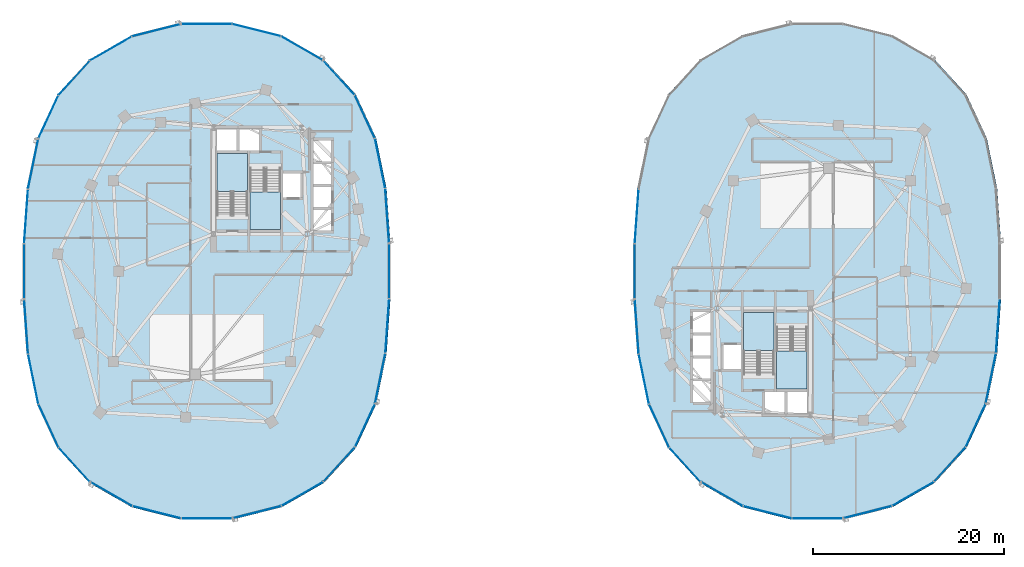
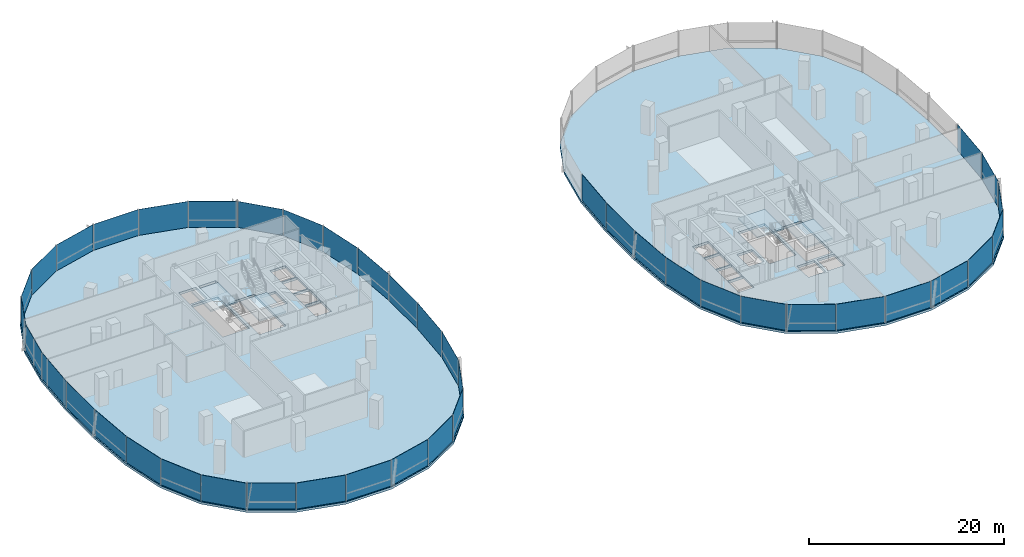
# One storey, part 9 of 21: 43 plates, 6 slabs, 11 elements without a shape of their own.
"""IFC4 building model written with IfcOpenShell, lengths in metres."""

import ifcopenshell
import ifcopenshell.guid

model = None  # the IFC model being written
_history = None  # IfcOwnerHistory: only IFC2X3 demands one
_inside = {}  # id of a spatial element -> (the spatial element, [elements in it])
_under = {}  # id of a project, library or spatial element -> (it, [spatial elements below it])
_declared = {}  # id of a project -> (the project, [libraries it declares])
_typed = {}  # id of a type object -> (the type object, [elements of that type])
_made_of = {}  # id of a material, layer set ... -> (it, [elements and type objects made of it])


def new_model(schema):
    """Start an empty IFC model of exactly this schema.

    Asked for "IFC4X3", IfcOpenShell would pick the latest addendum, in which some entities
    have other attributes; the version numbers below select the first issue.
    IFC2X3 requires an IfcOwnerHistory on every rooted entity: one is made here for all.
    """
    global model, _history
    if schema == "IFC4X3":
        model = ifcopenshell.file(schema_version=(4, 3, 0, 0))
    else:
        model = ifcopenshell.file(schema=schema)
    _inside.clear()
    _under.clear()
    _declared.clear()
    _typed.clear()
    _made_of.clear()
    _history = None
    if model.schema == "IFC2X3":
        org = make("IfcOrganization", Name="unknown")
        user = make(
            "IfcPersonAndOrganization",
            ThePerson=make("IfcPerson", FamilyName="unknown"),
            TheOrganization=org,
        )
        app = make(
            "IfcApplication",
            ApplicationDeveloper=org,
            Version="unknown",
            ApplicationFullName="unknown",
            ApplicationIdentifier="unknown",
        )
        _history = make(
            "IfcOwnerHistory",
            OwningUser=user,
            OwningApplication=app,
            ChangeAction="ADDED",
            CreationDate=0,
        )
    return model


def make(cls, **values):
    """One entity of the class cls with the attributes given. An attribute that is None is left unset."""
    return model.create_entity(
        cls, **{name: value for name, value in values.items() if value is not None}
    )


def rooted(cls, **values):
    """An entity with a GlobalId (a new one), such as an element, a storey or a relation."""
    return make(cls, GlobalId=ifcopenshell.guid.new(), OwnerHistory=_history, **values)


def si_unit(unit_type, name, prefix=None):
    """IfcSIUnit, for example si_unit("LENGTHUNIT", "METRE", prefix="MILLI")."""
    return make("IfcSIUnit", UnitType=unit_type, Prefix=prefix, Name=name)


def assignment(units):
    """IfcUnitAssignment: the units of a project."""
    return None if units is None else make("IfcUnitAssignment", Units=units)


def point(xyz):
    """IfcCartesianPoint."""
    return None if xyz is None else make("IfcCartesianPoint", Coordinates=xyz)


def direction(xyz):
    """IfcDirection."""
    return None if xyz is None else make("IfcDirection", DirectionRatios=xyz)


def frame(location, z_axis=None, x_axis=None):
    """IfcAxis2Placement3D, a coordinate frame: its origin and axes. An axis left out is left unset."""
    return make(
        "IfcAxis2Placement3D",
        Location=point(location),
        Axis=direction(z_axis),
        RefDirection=direction(x_axis),
    )


def frame_2d(location, x_axis=None):
    """IfcAxis2Placement2D, a coordinate frame in the plane: its origin and x axis."""
    return make(
        "IfcAxis2Placement2D", Location=point(location), RefDirection=direction(x_axis)
    )


def origin():
    """The frame at (0, 0, 0) with its axes left unset."""
    return frame((0.0, 0.0, 0.0))


def origin_2d():
    """The frame at (0, 0) in the plane with its x axis left unset."""
    return frame_2d((0.0, 0.0))


def place(relative_to, where):
    """IfcLocalPlacement: puts the frame where relative to a parent placement (None: the world)."""
    return make(
        "IfcLocalPlacement", PlacementRelTo=relative_to, RelativePlacement=where
    )


def context(
    kind, dimensions, precision=None, world=None, true_north=None, identifier=None
):
    """IfcGeometricRepresentationContext, for example the 3D "Model" context."""
    return make(
        "IfcGeometricRepresentationContext",
        ContextIdentifier=identifier,
        ContextType=kind,
        CoordinateSpaceDimension=dimensions,
        Precision=precision,
        WorldCoordinateSystem=world,
        TrueNorth=true_north,
    )


def subcontext(parent, identifier, kind, view, scale=None):
    """IfcGeometricRepresentationSubContext, for example "Body" below "Model"."""
    return make(
        "IfcGeometricRepresentationSubContext",
        ContextIdentifier=identifier,
        ContextType=kind,
        ParentContext=parent,
        TargetScale=scale,
        TargetView=view,
    )


def project(units=None, contexts=None):
    """IfcProject with its units and contexts."""
    return rooted(
        "IfcProject",
        Name="project",
        RepresentationContexts=contexts,
        UnitsInContext=assignment(units),
    )


def spatial(cls, under=None, at=None, **own):
    """A site, building, storey or space (cls), placed at a placement, below another one or the project."""
    s = rooted(cls, ObjectPlacement=at, **own)
    if under is not None:
        _under.setdefault(under.id(), (under, []))[1].append(s)
    return s


def polyline(points):
    """IfcPolyline through the points."""
    return make("IfcPolyline", Points=[point(p) for p in points])


def profile(cls, at=None, kind="AREA", **sizes):
    """A parametric profile (cls). Its sizes go by their IFC names, for example OverallWidth=200.0."""
    return make(cls, ProfileType=kind, Position=at, **sizes)


def rectangle(**sizes):
    """IfcRectangleProfileDef."""
    return profile("IfcRectangleProfileDef", **sizes)


def outline(outer, holes=None, kind="AREA"):
    """IfcArbitraryClosedProfileDef: a profile drawn as a closed curve; with holes, ...WithVoids."""
    if holes is None:
        return make("IfcArbitraryClosedProfileDef", ProfileType=kind, OuterCurve=outer)
    return make(
        "IfcArbitraryProfileDefWithVoids",
        ProfileType=kind,
        OuterCurve=outer,
        InnerCurves=holes,
    )


def extrude(swept, where, along, depth):
    """IfcExtrudedAreaSolid: the profile swept, set in the frame where, extruded along a direction by depth."""
    return make(
        "IfcExtrudedAreaSolid",
        SweptArea=swept,
        Position=where,
        ExtrudedDirection=direction(along),
        Depth=depth,
    )


def shape(context_of_items, identifier, shape_type, items):
    """IfcShapeRepresentation: the items that make up one representation, for example the "Body"."""
    return make(
        "IfcShapeRepresentation",
        ContextOfItems=context_of_items,
        RepresentationIdentifier=identifier,
        RepresentationType=shape_type,
        Items=items,
    )


def material(Name=None, Category=None):
    """IfcMaterial."""
    return make("IfcMaterial", Name=Name, Category=Category)


def layer(
    of_material, thickness, ventilated=None, Name=None, Category=None, Priority=None
):
    """IfcMaterialLayer: one layer of a wall or slab, of a material (None: an air gap)."""
    return make(
        "IfcMaterialLayer",
        Material=of_material,
        LayerThickness=thickness,
        IsVentilated=ventilated,
        Name=Name,
        Category=Category,
        Priority=Priority,
    )


def layer_set(layers, Name=None):
    """IfcMaterialLayerSet."""
    return make("IfcMaterialLayerSet", MaterialLayers=layers, LayerSetName=Name)


def made_of(thing, what):
    """Note that an element or type object is made of a material, layer set ...; save() writes the relation."""
    if what is not None:
        _made_of.setdefault(what.id(), (what, []))[1].append(thing)
    return thing


def type_object(cls, material=None, **own):
    """A type object (cls), such as IfcWallType, which elements share."""
    return made_of(rooted(cls, **own), material)


def element(
    cls,
    number,
    at=None,
    inside=None,
    cuts=None,
    type_object=None,
    material=None,
    context=None,
    identifier="Body",
    shape_type=None,
    held_by="IfcProductDefinitionShape",
    body=None,
    shapes=None,
    **own,
):
    """One element of the class cls, such as IfcWall. Its Tag is "e" and its number.

    at: its placement. inside: the storey or other place that contains it. cuts: it is an
    opening in that element (IfcRelVoidsElement). A single representation is given by context,
    identifier, shape_type and body (its items); several are given by shapes. held_by: the class
    of the entity that holds the representations. save() writes the other relations.
    """
    e = rooted(cls, Tag="e%d" % number, ObjectPlacement=at, **own)
    if body is not None:
        shapes = [shape(context, identifier, shape_type, body)]
    if shapes is not None:
        e.Representation = make(held_by, Representations=shapes)
    if inside is not None:
        _inside.setdefault(inside.id(), (inside, []))[1].append(e)
    if cuts is not None:
        rooted(
            "IfcRelVoidsElement", RelatingBuildingElement=cuts, RelatedOpeningElement=e
        )
    if type_object is not None:
        _typed.setdefault(type_object.id(), (type_object, []))[1].append(e)
    return made_of(e, material)


def aggregate(whole, parts):
    """IfcRelAggregates: a whole, such as a stair, and the parts it consists of."""
    return rooted("IfcRelAggregates", RelatingObject=whole, RelatedObjects=parts)


def save(model, path):
    """Write the relations noted so far, then the file.

    IfcRelAggregates (storeys below a building ...), IfcRelContainedInSpatialStructure (elements
    in a storey), IfcRelDefinesByType, IfcRelAssociatesMaterial and IfcRelDeclares: one each for
    every whole, place, type object, material and project.
    """
    for whole, parts in _under.values():
        aggregate(whole, parts)
    for where, things in _inside.values():
        rooted(
            "IfcRelContainedInSpatialStructure",
            RelatedElements=things,
            RelatingStructure=where,
        )
    for kind, things in _typed.values():
        rooted("IfcRelDefinesByType", RelatedObjects=things, RelatingType=kind)
    for what, things in _made_of.values():
        rooted("IfcRelAssociatesMaterial", RelatedObjects=things, RelatingMaterial=what)
    for by, libraries in _declared.values():
        rooted("IfcRelDeclares", RelatingContext=by, RelatedDefinitions=libraries)
    model.write(path)


model = new_model("IFC4")

# Units and contexts
model_context = context("Model", 3, precision=1e-05, world=origin(), true_north=direction((0.0, 1.0)))
body_context = subcontext(model_context, "Body", "Model", "MODEL_VIEW")
ifc_project = project(units=[si_unit("LENGTHUNIT", "METRE"), si_unit("AREAUNIT", "SQUARE_METRE"), si_unit("VOLUMEUNIT", "CUBIC_METRE"), si_unit("PLANEANGLEUNIT", "RADIAN"), si_unit("MASSUNIT", "GRAM", prefix="KILO"), si_unit("THERMODYNAMICTEMPERATUREUNIT", "KELVIN"), si_unit("POWERUNIT", "WATT")], contexts=[model_context])

# Site, building, storey
site_placement = place(None, origin())
site = spatial("IfcSite", under=ifc_project, at=site_placement, CompositionType="ELEMENT")
building_placement = place(site_placement, origin())
building = spatial("IfcBuilding", under=site, at=building_placement, Name="Cundina Bronze Exchange", CompositionType="ELEMENT")
storey_placement = place(building_placement, frame((0.0, 0.0, 81.800048828125)))
storey = spatial("IfcBuildingStorey", under=building, at=storey_placement, Name="L20", CompositionType="ELEMENT", Elevation=81.800048828125)

# Curtain wall, plates
ifc_material_1 = material(Name="Anodised Bronze Aluminium 6063-T6", Category="aluminium")
curtain_wall_type = type_object("IfcCurtainWallType", Name="CWS-TRD-MID", PredefinedType="NOTDEFINED", material=ifc_material_1)
curtain_wall_1_placement = place(storey_placement, origin())
curtain_wall_1 = element("IfcCurtainWall", 1, at=curtain_wall_1_placement, inside=storey, type_object=curtain_wall_type, Name="L20 CW-03 Curtain Wall Run CWR-L20-W1", PredefinedType="NOTDEFINED")
ifc_material_2 = material(Name="Heat-Strengthened Solar-Control Bronze Safety Glass 28mm", Category="glass")
ifc_layer_1 = layer(ifc_material_2, 0.028076171875, Name="Heat-Strengthened Solar-Control Bronze Safety Glass 28mm", Category="glass")
ifc_layer_set_1 = layer_set([ifc_layer_1], Name="Heat-Strengthened Solar-Control Bronze Safety Glass 28mm")
plate_type_1 = type_object("IfcPlateType", Name="PLT-GLZ-VIS28", PredefinedType="CURTAIN_PANEL", material=ifc_layer_set_1)
plate_1_placement = place(storey_placement, frame((-13.0732421875, 5.783935546875, 0.02001953125), z_axis=(0.0, 0.0, 1.0), x_axis=(-0.070278787473, 0.997527389113, 0.0)))
plate_1 = element("IfcPlate", 2, at=plate_1_placement, type_object=plate_type_1, Name="CW-03 Glazed Panel 1", PredefinedType="CURTAIN_PANEL", context=body_context, shape_type="SweptSolid", body=[
    extrude(rectangle(XDim=5.644287109375, YDim=0.028076171875, at=origin_2d()), origin(), (0.0, 0.0, 1.0), 3.260009765625),
])
plate_2_placement = place(storey_placement, frame((-13.81591796875, 11.269775390625, 0.02001953125), z_axis=(0.0, 0.0, 1.0), x_axis=(-0.201419845156, 0.979505000486, 0.0)))
plate_2 = element("IfcPlate", 3, at=plate_2_placement, type_object=plate_type_1, Name="CW-03 Glazed Panel 2", PredefinedType="CURTAIN_PANEL", context=body_context, shape_type="SweptSolid", body=[
    extrude(rectangle(XDim=5.306640625, YDim=0.028076171875, at=origin_2d()), origin(), (0.0, 0.0, 1.0), 3.260009765625),
])
plate_3_placement = place(storey_placement, frame((-15.413818359375, 16.177734375, 0.02001953125), z_axis=(0.0, 0.0, 1.0), x_axis=(-0.42084583328, 0.907132175932, 0.0)))
plate_3 = element("IfcPlate", 4, at=plate_3_placement, type_object=plate_type_1, Name="CW-03 Glazed Panel 3", PredefinedType="CURTAIN_PANEL", context=body_context, shape_type="SweptSolid", body=[
    extrude(rectangle(XDim=4.966552734375, YDim=0.028076171875, at=origin_2d()), origin(), (0.0, 0.0, 1.0), 3.260009765625),
])
plate_4_placement = place(storey_placement, frame((-18.1259765625, 20.267333984375, 0.02001953125), z_axis=(0.0, 0.0, 1.0), x_axis=(-0.674276610219, 0.73847887777, 0.0)))
plate_4 = element("IfcPlate", 5, at=plate_4_placement, type_object=plate_type_1, Name="CW-03 Glazed Panel 4", PredefinedType="CURTAIN_PANEL", context=body_context, shape_type="SweptSolid", body=[
    extrude(rectangle(XDim=4.86328125, YDim=0.028076171875, at=origin_2d()), origin(), (0.0, 0.0, 1.0), 3.260009765625),
])
plate_5_placement = place(storey_placement, frame((-26.744384765625, 25.256591796875, 0.02001953125), z_axis=(0.0, 0.0, 1.0), x_axis=(-0.969488149345, 0.245138182011, 0.0)))
plate_5 = element("IfcPlate", 6, at=plate_5_placement, type_object=plate_type_1, Name="CW-03 Glazed Panel 6", PredefinedType="CURTAIN_PANEL", context=body_context, shape_type="SweptSolid", body=[
    extrude(rectangle(XDim=5.2333984375, YDim=0.028076171875, at=origin_2d()), origin(), (0.0, 0.0, 1.0), 3.260009765625),
])
plate_6_placement = place(storey_placement, frame((-32.0, 25.905029296875, 0.02001953125), z_axis=(0.0, 0.0, 1.0), x_axis=(-1.0, 0.0, 0.0)))
plate_6 = element("IfcPlate", 7, at=plate_6_placement, type_object=plate_type_1, Name="CW-03 Glazed Panel 7", PredefinedType="CURTAIN_PANEL", context=body_context, shape_type="SweptSolid", body=[
    extrude(rectangle(XDim=5.323974609375, YDim=0.028076171875, at=origin_2d()), origin(), (0.0, 0.0, 1.0), 3.260009765625),
])

curtain_wall_2_placement = place(storey_placement, origin())
curtain_wall_2 = element("IfcCurtainWall", 8, at=curtain_wall_2_placement, inside=storey, type_object=curtain_wall_type, Name="L20 CW-03 Curtain Wall Run CWR-L20-W2", PredefinedType="NOTDEFINED")
plate_7_placement = place(storey_placement, frame((-37.255615234375, 25.256591796875, 0.02001953125), z_axis=(0.0, 0.0, 1.0), x_axis=(-0.969488149345, -0.245138182011, 0.0)))
plate_7 = element("IfcPlate", 9, at=plate_7_placement, type_object=plate_type_1, Name="CW-03 Glazed Panel 1", PredefinedType="CURTAIN_PANEL", context=body_context, shape_type="SweptSolid", body=[
    extrude(rectangle(XDim=5.2333984375, YDim=0.028076171875, at=origin_2d()), origin(), (0.0, 0.0, 1.0), 3.260009765625),
])
plate_8_placement = place(storey_placement, frame((-42.019287109375, 23.34423828125, 0.02001953125), z_axis=(0.0, 0.0, 1.0), x_axis=(-0.867105478933, -0.498124571171, 0.0)))
plate_8 = element("IfcPlate", 10, at=plate_8_placement, type_object=plate_type_1, Name="CW-03 Glazed Panel 2", PredefinedType="CURTAIN_PANEL", context=body_context, shape_type="SweptSolid", body=[
    extrude(rectangle(XDim=5.021240234375, YDim=0.028076171875, at=origin_2d()), origin(), (0.0, 0.0, 1.0), 3.260009765625),
])
plate_9_placement = place(storey_placement, frame((-45.8740234375, 20.267333984375, 0.02001953125), z_axis=(0.0, 0.0, 1.0), x_axis=(-0.674276610219, -0.73847887777, 0.0)))
plate_9 = element("IfcPlate", 11, at=plate_9_placement, type_object=plate_type_1, Name="CW-03 Glazed Panel 3", PredefinedType="CURTAIN_PANEL", context=body_context, shape_type="SweptSolid", body=[
    extrude(rectangle(XDim=4.86328125, YDim=0.028076171875, at=origin_2d()), origin(), (0.0, 0.0, 1.0), 3.260009765625),
])
plate_10_placement = place(storey_placement, frame((-50.18408203125, 11.269775390625, 0.02001953125), z_axis=(0.0, 0.0, 1.0), x_axis=(-0.201419845156, -0.979505000486, 0.0)))
plate_10 = element("IfcPlate", 12, at=plate_10_placement, type_object=plate_type_1, Name="CW-03 Glazed Panel 5", PredefinedType="CURTAIN_PANEL", context=body_context, shape_type="SweptSolid", body=[
    extrude(rectangle(XDim=5.306640625, YDim=0.028076171875, at=origin_2d()), origin(), (0.0, 0.0, 1.0), 3.260009765625),
])
plate_11_placement = place(storey_placement, frame((-50.9267578125, 5.783935546875, 0.02001953125), z_axis=(0.0, 0.0, 1.0), x_axis=(-0.070278787473, -0.997527389113, 0.0)))
plate_11 = element("IfcPlate", 13, at=plate_11_placement, type_object=plate_type_1, Name="CW-03 Glazed Panel 6", PredefinedType="CURTAIN_PANEL", context=body_context, shape_type="SweptSolid", body=[
    extrude(rectangle(XDim=5.644287109375, YDim=0.028076171875, at=origin_2d()), origin(), (0.0, 0.0, 1.0), 3.260009765625),
])
plate_12_placement = place(storey_placement, frame((-51.1279296875, 0.0, 0.02001953125), z_axis=(0.0, 0.0, 1.0), x_axis=(0.0, -1.0, 0.0)))
plate_12 = element("IfcPlate", 14, at=plate_12_placement, type_object=plate_type_1, Name="CW-03 Glazed Panel 7", PredefinedType="CURTAIN_PANEL", context=body_context, shape_type="SweptSolid", body=[
    extrude(rectangle(XDim=5.77587890625, YDim=0.028076171875, at=origin_2d()), origin(), (0.0, 0.0, 1.0), 3.260009765625),
])

curtain_wall_3_placement = place(storey_placement, origin())
curtain_wall_3 = element("IfcCurtainWall", 15, at=curtain_wall_3_placement, inside=storey, type_object=curtain_wall_type, Name="L20 CW-03 Curtain Wall Run CWR-L20-W3", PredefinedType="NOTDEFINED")
plate_13_placement = place(storey_placement, frame((-50.9267578125, -5.783935546875, 0.02001953125), z_axis=(0.0, 0.0, 1.0), x_axis=(0.070278787473, -0.997527389113, 0.0)))
plate_13 = element("IfcPlate", 16, at=plate_13_placement, type_object=plate_type_1, Name="CW-03 Glazed Panel 1", PredefinedType="CURTAIN_PANEL", context=body_context, shape_type="SweptSolid", body=[
    extrude(rectangle(XDim=5.644287109375, YDim=0.028076171875, at=origin_2d()), origin(), (0.0, 0.0, 1.0), 3.260009765625),
])
plate_14_placement = place(storey_placement, frame((-50.18408203125, -11.269775390625, 0.02001953125), z_axis=(0.0, 0.0, 1.0), x_axis=(0.201419845156, -0.979505000486, 0.0)))
plate_14 = element("IfcPlate", 17, at=plate_14_placement, type_object=plate_type_1, Name="CW-03 Glazed Panel 2", PredefinedType="CURTAIN_PANEL", context=body_context, shape_type="SweptSolid", body=[
    extrude(rectangle(XDim=5.306640625, YDim=0.028076171875, at=origin_2d()), origin(), (0.0, 0.0, 1.0), 3.260009765625),
])
plate_15_placement = place(storey_placement, frame((-45.8740234375, -20.267333984375, 0.02001953125), z_axis=(0.0, 0.0, 1.0), x_axis=(0.674276610219, -0.73847887777, 0.0)))
plate_15 = element("IfcPlate", 18, at=plate_15_placement, type_object=plate_type_1, Name="CW-03 Glazed Panel 4", PredefinedType="CURTAIN_PANEL", context=body_context, shape_type="SweptSolid", body=[
    extrude(rectangle(XDim=4.86328125, YDim=0.028076171875, at=origin_2d()), origin(), (0.0, 0.0, 1.0), 3.260009765625),
])
plate_16_placement = place(storey_placement, frame((-42.019287109375, -23.34423828125, 0.02001953125), z_axis=(0.0, 0.0, 1.0), x_axis=(0.867105478933, -0.498124571171, 0.0)))
plate_16 = element("IfcPlate", 19, at=plate_16_placement, type_object=plate_type_1, Name="CW-03 Glazed Panel 5", PredefinedType="CURTAIN_PANEL", context=body_context, shape_type="SweptSolid", body=[
    extrude(rectangle(XDim=5.021240234375, YDim=0.028076171875, at=origin_2d()), origin(), (0.0, 0.0, 1.0), 3.260009765625),
])
plate_17_placement = place(storey_placement, frame((-37.255615234375, -25.256591796875, 0.02001953125), z_axis=(0.0, 0.0, 1.0), x_axis=(0.969488149345, -0.245138182011, 0.0)))
plate_17 = element("IfcPlate", 20, at=plate_17_placement, type_object=plate_type_1, Name="CW-03 Glazed Panel 6", PredefinedType="CURTAIN_PANEL", context=body_context, shape_type="SweptSolid", body=[
    extrude(rectangle(XDim=5.2333984375, YDim=0.028076171875, at=origin_2d()), origin(), (0.0, 0.0, 1.0), 3.260009765625),
])
plate_18_placement = place(storey_placement, frame((-32.0, -25.905029296875, 0.02001953125), z_axis=(0.0, 0.0, 1.0), x_axis=(1.0, 0.0, 0.0)))
plate_18 = element("IfcPlate", 21, at=plate_18_placement, type_object=plate_type_1, Name="CW-03 Glazed Panel 7", PredefinedType="CURTAIN_PANEL", context=body_context, shape_type="SweptSolid", body=[
    extrude(rectangle(XDim=5.323974609375, YDim=0.028076171875, at=origin_2d()), origin(), (0.0, 0.0, 1.0), 3.260009765625),
])

curtain_wall_4_placement = place(storey_placement, origin())
curtain_wall_4 = element("IfcCurtainWall", 22, at=curtain_wall_4_placement, inside=storey, type_object=curtain_wall_type, Name="L20 CW-03 Curtain Wall Run CWR-L20-W4", PredefinedType="NOTDEFINED")
plate_19_placement = place(storey_placement, frame((-26.744384765625, -25.256591796875, 0.02001953125), z_axis=(0.0, 0.0, 1.0), x_axis=(0.969488149345, 0.245138182011, 0.0)))
plate_19 = element("IfcPlate", 23, at=plate_19_placement, type_object=plate_type_1, Name="CW-03 Glazed Panel 1", PredefinedType="CURTAIN_PANEL", context=body_context, shape_type="SweptSolid", body=[
    extrude(rectangle(XDim=5.2333984375, YDim=0.028076171875, at=origin_2d()), origin(), (0.0, 0.0, 1.0), 3.260009765625),
])
plate_20_placement = place(storey_placement, frame((-18.1259765625, -20.267333984375, 0.02001953125), z_axis=(0.0, 0.0, 1.0), x_axis=(0.674276610219, 0.73847887777, 0.0)))
plate_20 = element("IfcPlate", 24, at=plate_20_placement, type_object=plate_type_1, Name="CW-03 Glazed Panel 3", PredefinedType="CURTAIN_PANEL", context=body_context, shape_type="SweptSolid", body=[
    extrude(rectangle(XDim=4.86328125, YDim=0.028076171875, at=origin_2d()), origin(), (0.0, 0.0, 1.0), 3.260009765625),
])
plate_21_placement = place(storey_placement, frame((-15.413818359375, -16.177734375, 0.02001953125), z_axis=(0.0, 0.0, 1.0), x_axis=(0.42084583328, 0.907132175932, 0.0)))
plate_21 = element("IfcPlate", 25, at=plate_21_placement, type_object=plate_type_1, Name="CW-03 Glazed Panel 4", PredefinedType="CURTAIN_PANEL", context=body_context, shape_type="SweptSolid", body=[
    extrude(rectangle(XDim=4.966552734375, YDim=0.028076171875, at=origin_2d()), origin(), (0.0, 0.0, 1.0), 3.260009765625),
])
plate_22_placement = place(storey_placement, frame((-13.81591796875, -11.269775390625, 0.02001953125), z_axis=(0.0, 0.0, 1.0), x_axis=(0.201419845156, 0.979505000486, 0.0)))
plate_22 = element("IfcPlate", 26, at=plate_22_placement, type_object=plate_type_1, Name="CW-03 Glazed Panel 5", PredefinedType="CURTAIN_PANEL", context=body_context, shape_type="SweptSolid", body=[
    extrude(rectangle(XDim=5.306640625, YDim=0.028076171875, at=origin_2d()), origin(), (0.0, 0.0, 1.0), 3.260009765625),
])
plate_23_placement = place(storey_placement, frame((-13.0732421875, -5.783935546875, 0.02001953125), z_axis=(0.0, 0.0, 1.0), x_axis=(0.070278787473, 0.997527389113, 0.0)))
plate_23 = element("IfcPlate", 27, at=plate_23_placement, type_object=plate_type_1, Name="CW-03 Glazed Panel 6", PredefinedType="CURTAIN_PANEL", context=body_context, shape_type="SweptSolid", body=[
    extrude(rectangle(XDim=5.644287109375, YDim=0.028076171875, at=origin_2d()), origin(), (0.0, 0.0, 1.0), 3.260009765625),
])

curtain_wall_5_placement = place(storey_placement, origin())
curtain_wall_5 = element("IfcCurtainWall", 28, at=curtain_wall_5_placement, inside=storey, type_object=curtain_wall_type, Name="L20 CW-03 Curtain Wall Run CWR-L20-E2", PredefinedType="NOTDEFINED")
plate_24_placement = place(storey_placement, frame((13.0732421875, 5.783935546875, 0.02001953125), z_axis=(0.0, 0.0, 1.0), x_axis=(-0.070278787473, -0.997527389113, 0.0)))
plate_24 = element("IfcPlate", 29, at=plate_24_placement, type_object=plate_type_1, Name="CW-03 Glazed Panel 6", PredefinedType="CURTAIN_PANEL", context=body_context, shape_type="SweptSolid", body=[
    extrude(rectangle(XDim=5.644287109375, YDim=0.028076171875, at=origin_2d()), origin(), (0.0, 0.0, 1.0), 3.260009765625),
])
plate_25_placement = place(storey_placement, frame((12.8720703125, 0.0, 0.02001953125), z_axis=(0.0, 0.0, 1.0), x_axis=(0.0, -1.0, 0.0)))
plate_25 = element("IfcPlate", 30, at=plate_25_placement, type_object=plate_type_1, Name="CW-03 Glazed Panel 7", PredefinedType="CURTAIN_PANEL", context=body_context, shape_type="SweptSolid", body=[
    extrude(rectangle(XDim=5.77587890625, YDim=0.028076171875, at=origin_2d()), origin(), (0.0, 0.0, 1.0), 3.260009765625),
])
aggregate(curtain_wall_5, [plate_24, plate_25])

curtain_wall_6_placement = place(storey_placement, origin())
curtain_wall_6 = element("IfcCurtainWall", 31, at=curtain_wall_6_placement, inside=storey, type_object=curtain_wall_type, Name="L20 CW-03 Curtain Wall Run CWR-L20-E3", PredefinedType="NOTDEFINED")
plate_26_placement = place(storey_placement, frame((13.0732421875, -5.783935546875, 0.02001953125), z_axis=(0.0, 0.0, 1.0), x_axis=(0.070278787473, -0.997527389113, 0.0)))
plate_26 = element("IfcPlate", 32, at=plate_26_placement, type_object=plate_type_1, Name="CW-03 Glazed Panel 1", PredefinedType="CURTAIN_PANEL", context=body_context, shape_type="SweptSolid", body=[
    extrude(rectangle(XDim=5.644287109375, YDim=0.028076171875, at=origin_2d()), origin(), (0.0, 0.0, 1.0), 3.260009765625),
])
plate_27_placement = place(storey_placement, frame((13.81591796875, -11.269775390625, 0.02001953125), z_axis=(0.0, 0.0, 1.0), x_axis=(0.201419845156, -0.979505000486, 0.0)))
plate_27 = element("IfcPlate", 33, at=plate_27_placement, type_object=plate_type_1, Name="CW-03 Glazed Panel 2", PredefinedType="CURTAIN_PANEL", context=body_context, shape_type="SweptSolid", body=[
    extrude(rectangle(XDim=5.306640625, YDim=0.028076171875, at=origin_2d()), origin(), (0.0, 0.0, 1.0), 3.260009765625),
])
plate_28_placement = place(storey_placement, frame((18.1259765625, -20.267333984375, 0.02001953125), z_axis=(0.0, 0.0, 1.0), x_axis=(0.674276610219, -0.73847887777, 0.0)))
plate_28 = element("IfcPlate", 34, at=plate_28_placement, type_object=plate_type_1, Name="CW-03 Glazed Panel 4", PredefinedType="CURTAIN_PANEL", context=body_context, shape_type="SweptSolid", body=[
    extrude(rectangle(XDim=4.86328125, YDim=0.028076171875, at=origin_2d()), origin(), (0.0, 0.0, 1.0), 3.260009765625),
])
plate_29_placement = place(storey_placement, frame((21.980712890625, -23.34423828125, 0.02001953125), z_axis=(0.0, 0.0, 1.0), x_axis=(0.867105478933, -0.498124571171, 0.0)))
plate_29 = element("IfcPlate", 35, at=plate_29_placement, type_object=plate_type_1, Name="CW-03 Glazed Panel 5", PredefinedType="CURTAIN_PANEL", context=body_context, shape_type="SweptSolid", body=[
    extrude(rectangle(XDim=5.021240234375, YDim=0.028076171875, at=origin_2d()), origin(), (0.0, 0.0, 1.0), 3.260009765625),
])
plate_30_placement = place(storey_placement, frame((26.744384765625, -25.256591796875, 0.02001953125), z_axis=(0.0, 0.0, 1.0), x_axis=(0.969488149345, -0.245138182011, 0.0)))
plate_30 = element("IfcPlate", 36, at=plate_30_placement, type_object=plate_type_1, Name="CW-03 Glazed Panel 6", PredefinedType="CURTAIN_PANEL", context=body_context, shape_type="SweptSolid", body=[
    extrude(rectangle(XDim=5.2333984375, YDim=0.028076171875, at=origin_2d()), origin(), (0.0, 0.0, 1.0), 3.260009765625),
])
plate_31_placement = place(storey_placement, frame((32.0, -25.905029296875, 0.02001953125), z_axis=(0.0, 0.0, 1.0), x_axis=(1.0, 0.0, 0.0)))
plate_31 = element("IfcPlate", 37, at=plate_31_placement, type_object=plate_type_1, Name="CW-03 Glazed Panel 7", PredefinedType="CURTAIN_PANEL", context=body_context, shape_type="SweptSolid", body=[
    extrude(rectangle(XDim=5.323974609375, YDim=0.028076171875, at=origin_2d()), origin(), (0.0, 0.0, 1.0), 3.260009765625),
])

curtain_wall_7_placement = place(storey_placement, origin())
curtain_wall_7 = element("IfcCurtainWall", 38, at=curtain_wall_7_placement, inside=storey, type_object=curtain_wall_type, Name="L20 CW-03 Curtain Wall Run CWR-L20-E4", PredefinedType="NOTDEFINED")
plate_32_placement = place(storey_placement, frame((37.255615234375, -25.256591796875, 0.02001953125), z_axis=(0.0, 0.0, 1.0), x_axis=(0.969488149345, 0.245138182011, 0.0)))
plate_32 = element("IfcPlate", 39, at=plate_32_placement, type_object=plate_type_1, Name="CW-03 Glazed Panel 1", PredefinedType="CURTAIN_PANEL", context=body_context, shape_type="SweptSolid", body=[
    extrude(rectangle(XDim=5.2333984375, YDim=0.028076171875, at=origin_2d()), origin(), (0.0, 0.0, 1.0), 3.260009765625),
])
plate_33_placement = place(storey_placement, frame((45.8740234375, -20.267333984375, 0.02001953125), z_axis=(0.0, 0.0, 1.0), x_axis=(0.674276610219, 0.73847887777, 0.0)))
plate_33 = element("IfcPlate", 40, at=plate_33_placement, type_object=plate_type_1, Name="CW-03 Glazed Panel 3", PredefinedType="CURTAIN_PANEL", context=body_context, shape_type="SweptSolid", body=[
    extrude(rectangle(XDim=4.86328125, YDim=0.028076171875, at=origin_2d()), origin(), (0.0, 0.0, 1.0), 3.260009765625),
])
plate_34_placement = place(storey_placement, frame((48.586181640625, -16.177734375, 0.02001953125), z_axis=(0.0, 0.0, 1.0), x_axis=(0.42084583328, 0.907132175932, 0.0)))
plate_34 = element("IfcPlate", 41, at=plate_34_placement, type_object=plate_type_1, Name="CW-03 Glazed Panel 4", PredefinedType="CURTAIN_PANEL", context=body_context, shape_type="SweptSolid", body=[
    extrude(rectangle(XDim=4.966552734375, YDim=0.028076171875, at=origin_2d()), origin(), (0.0, 0.0, 1.0), 3.260009765625),
])
plate_35_placement = place(storey_placement, frame((50.18408203125, -11.269775390625, 0.02001953125), z_axis=(0.0, 0.0, 1.0), x_axis=(0.201419845156, 0.979505000486, 0.0)))
plate_35 = element("IfcPlate", 42, at=plate_35_placement, type_object=plate_type_1, Name="CW-03 Glazed Panel 5", PredefinedType="CURTAIN_PANEL", context=body_context, shape_type="SweptSolid", body=[
    extrude(rectangle(XDim=5.306640625, YDim=0.028076171875, at=origin_2d()), origin(), (0.0, 0.0, 1.0), 3.260009765625),
])
plate_36_placement = place(storey_placement, frame((50.9267578125, -5.783935546875, 0.02001953125), z_axis=(0.0, 0.0, 1.0), x_axis=(0.070278787473, 0.997527389113, 0.0)))
plate_36 = element("IfcPlate", 43, at=plate_36_placement, type_object=plate_type_1, Name="CW-03 Glazed Panel 6", PredefinedType="CURTAIN_PANEL", context=body_context, shape_type="SweptSolid", body=[
    extrude(rectangle(XDim=5.644287109375, YDim=0.028076171875, at=origin_2d()), origin(), (0.0, 0.0, 1.0), 3.260009765625),
])

# Plate
ifc_material_3 = material(Name="Dark Bronze Spandrel Glass Panel 32mm", Category="glass")
ifc_layer_2 = layer(ifc_material_3, 0.031982421875, Name="Dark Bronze Spandrel Glass Panel 32mm", Category="glass")
ifc_layer_set_2 = layer_set([ifc_layer_2], Name="Dark Bronze Spandrel Glass Panel 32mm")
plate_type_2 = type_object("IfcPlateType", Name="PLT-SPN-BRZ32", PredefinedType="CURTAIN_PANEL", material=ifc_layer_set_2)
plate_37_placement = place(storey_placement, frame((-21.980712890625, 23.34423828125, 0.02001953125), z_axis=(0.0, 0.0, 1.0), x_axis=(-0.867105478933, 0.498124571171, 0.0)))
plate_37 = element("IfcPlate", 44, at=plate_37_placement, type_object=plate_type_2, Name="CW-03 Glazed Panel 5", PredefinedType="CURTAIN_PANEL", context=body_context, shape_type="SweptSolid", body=[
    extrude(rectangle(XDim=5.021240234375, YDim=0.031982421875, at=origin_2d()), origin(), (0.0, 0.0, 1.0), 3.260009765625),
])

aggregate(curtain_wall_1, [plate_1, plate_2, plate_3, plate_4, plate_37, plate_5, plate_6])

plate_38_placement = place(storey_placement, frame((-48.586181640625, 16.177734375, 0.02001953125), z_axis=(0.0, 0.0, 1.0), x_axis=(-0.42084583328, -0.907132175932, 0.0)))
plate_38 = element("IfcPlate", 45, at=plate_38_placement, type_object=plate_type_2, Name="CW-03 Glazed Panel 4", PredefinedType="CURTAIN_PANEL", context=body_context, shape_type="SweptSolid", body=[
    extrude(rectangle(XDim=4.966552734375, YDim=0.031982421875, at=origin_2d()), origin(), (0.0, 0.0, 1.0), 3.260009765625),
])

aggregate(curtain_wall_2, [plate_7, plate_8, plate_9, plate_38, plate_10, plate_11, plate_12])

plate_39_placement = place(storey_placement, frame((-48.586181640625, -16.177734375, 0.02001953125), z_axis=(0.0, 0.0, 1.0), x_axis=(0.42084583328, -0.907132175932, 0.0)))
plate_39 = element("IfcPlate", 46, at=plate_39_placement, type_object=plate_type_2, Name="CW-03 Glazed Panel 3", PredefinedType="CURTAIN_PANEL", context=body_context, shape_type="SweptSolid", body=[
    extrude(rectangle(XDim=4.966552734375, YDim=0.031982421875, at=origin_2d()), origin(), (0.0, 0.0, 1.0), 3.260009765625),
])

aggregate(curtain_wall_3, [plate_13, plate_14, plate_39, plate_15, plate_16, plate_17, plate_18])

plate_40_placement = place(storey_placement, frame((-21.980712890625, -23.34423828125, 0.02001953125), z_axis=(0.0, 0.0, 1.0), x_axis=(0.867105478933, 0.498124571171, 0.0)))
plate_40 = element("IfcPlate", 47, at=plate_40_placement, type_object=plate_type_2, Name="CW-03 Glazed Panel 2", PredefinedType="CURTAIN_PANEL", context=body_context, shape_type="SweptSolid", body=[
    extrude(rectangle(XDim=5.021240234375, YDim=0.031982421875, at=origin_2d()), origin(), (0.0, 0.0, 1.0), 3.260009765625),
])

plate_41_placement = place(storey_placement, frame((-12.8720703125, 0.0, 0.02001953125), z_axis=(0.0, 0.0, 1.0), x_axis=(0.0, 1.0, 0.0)))
plate_41 = element("IfcPlate", 48, at=plate_41_placement, type_object=plate_type_2, Name="CW-03 Glazed Panel 7", PredefinedType="CURTAIN_PANEL", context=body_context, shape_type="SweptSolid", body=[
    extrude(rectangle(XDim=5.77587890625, YDim=0.031982421875, at=origin_2d()), origin(), (0.0, 0.0, 1.0), 3.260009765625),
])

aggregate(curtain_wall_4, [plate_19, plate_40, plate_20, plate_21, plate_22, plate_23, plate_41])

plate_42_placement = place(storey_placement, frame((15.413818359375, -16.177734375, 0.02001953125), z_axis=(0.0, 0.0, 1.0), x_axis=(0.42084583328, -0.907132175932, 0.0)))
plate_42 = element("IfcPlate", 49, at=plate_42_placement, type_object=plate_type_2, Name="CW-03 Glazed Panel 3", PredefinedType="CURTAIN_PANEL", context=body_context, shape_type="SweptSolid", body=[
    extrude(rectangle(XDim=4.966552734375, YDim=0.031982421875, at=origin_2d()), origin(), (0.0, 0.0, 1.0), 3.260009765625),
])

aggregate(curtain_wall_6, [plate_26, plate_27, plate_42, plate_28, plate_29, plate_30, plate_31])

plate_43_placement = place(storey_placement, frame((42.019287109375, -23.34423828125, 0.02001953125), z_axis=(0.0, 0.0, 1.0), x_axis=(0.867105478933, 0.498124571171, 0.0)))
plate_43 = element("IfcPlate", 50, at=plate_43_placement, type_object=plate_type_2, Name="CW-03 Glazed Panel 2", PredefinedType="CURTAIN_PANEL", context=body_context, shape_type="SweptSolid", body=[
    extrude(rectangle(XDim=5.021240234375, YDim=0.031982421875, at=origin_2d()), origin(), (0.0, 0.0, 1.0), 3.260009765625),
])

aggregate(curtain_wall_7, [plate_32, plate_43, plate_33, plate_34, plate_35, plate_36])

# Stair, slab
ifc_material_4 = material(Name="Concrete C40/50", Category="concrete")
stair_type = type_object("IfcStairType", Name="STR-OFF-360", PredefinedType="HALF_TURN_STAIR", material=ifc_material_4)
stair_1_placement = place(storey_placement, origin())
stair_1 = element("IfcStair", 51, at=stair_1_placement, inside=storey, type_object=stair_type, Name="L20 Smokeproof Exit Stair W1", PredefinedType="HALF_TURN_STAIR")
ifc_layer_3 = layer(ifc_material_4, 0.199951171875, Name="Concrete C40/50", Category="concrete")
ifc_layer_set_3 = layer_set([ifc_layer_3], Name="Concrete C40/50")
slab_type_1 = type_object("IfcSlabType", Name="SLB-LND-200", PredefinedType="LANDING", material=ifc_layer_set_3)
slab_1_placement = place(storey_placement, frame((0.0, 0.0, 1.599853515625)))
slab_1 = element("IfcSlab", 52, at=slab_1_placement, type_object=slab_type_1, Name="ST-W1 landing 1", PredefinedType="LANDING", context=body_context, shape_type="SweptSolid", body=[
    extrude(outline(polyline([(-27.739990234375, 8.3701171875), (-27.739990234375, 12.35009765625), (-30.89990234375, 12.35009765625), (-30.89990234375, 8.3701171875), (-27.739990234375, 8.3701171875)])), origin(), (0.0, 0.0, 1.0), 0.2001953125),
])
aggregate(stair_1, [slab_1])

stair_2_placement = place(storey_placement, origin())
stair_2 = element("IfcStair", 53, at=stair_2_placement, inside=storey, type_object=stair_type, Name="L20 Smokeproof Exit Stair W2", PredefinedType="HALF_TURN_STAIR")
slab_2_placement = place(storey_placement, frame((0.0, 0.0, 1.599853515625)))
slab_2 = element("IfcSlab", 54, at=slab_2_placement, type_object=slab_type_1, Name="ST-W2 landing 1", PredefinedType="LANDING", context=body_context, shape_type="SweptSolid", body=[
    extrude(outline(polyline([(-27.43994140625, 8.330078125), (-27.43994140625, 4.35009765625), (-24.280029296875, 4.35009765625), (-24.280029296875, 8.330078125), (-27.43994140625, 8.330078125)])), origin(), (0.0, 0.0, 1.0), 0.2001953125),
])
aggregate(stair_2, [slab_2])

stair_3_placement = place(storey_placement, origin())
stair_3 = element("IfcStair", 55, at=stair_3_placement, inside=storey, type_object=stair_type, Name="L20 Smokeproof Exit Stair E1", PredefinedType="HALF_TURN_STAIR")
slab_3_placement = place(storey_placement, frame((0.0, 0.0, 1.599853515625)))
slab_3 = element("IfcSlab", 56, at=slab_3_placement, type_object=slab_type_1, Name="ST-E1 landing 1", PredefinedType="LANDING", context=body_context, shape_type="SweptSolid", body=[
    extrude(outline(polyline([(27.739990234375, -8.3701171875), (27.739990234375, -12.35009765625), (30.89990234375, -12.35009765625), (30.89990234375, -8.3701171875), (27.739990234375, -8.3701171875)])), origin(), (0.0, 0.0, 1.0), 0.2001953125),
])
aggregate(stair_3, [slab_3])

stair_4_placement = place(storey_placement, origin())
stair_4 = element("IfcStair", 57, at=stair_4_placement, inside=storey, type_object=stair_type, Name="L20 Smokeproof Exit Stair E2", PredefinedType="HALF_TURN_STAIR")
slab_4_placement = place(storey_placement, frame((0.0, 0.0, 1.599853515625)))
slab_4 = element("IfcSlab", 58, at=slab_4_placement, type_object=slab_type_1, Name="ST-E2 landing 1", PredefinedType="LANDING", context=body_context, shape_type="SweptSolid", body=[
    extrude(outline(polyline([(27.43994140625, -8.330078125), (27.43994140625, -4.35009765625), (24.280029296875, -4.35009765625), (24.280029296875, -8.330078125), (27.43994140625, -8.330078125)])), origin(), (0.0, 0.0, 1.0), 0.2001953125),
])
aggregate(stair_4, [slab_4])

# Slabs
ifc_material_5 = material(Name="Concrete C50/60", Category="concrete")
ifc_layer_4 = layer(ifc_material_5, 0.300048828125, Name="Concrete C50/60", Category="concrete")
ifc_layer_set_4 = layer_set([ifc_layer_4], Name="Concrete C50/60")
slab_type_2 = type_object("IfcSlabType", Name="SLB-TRD-300", PredefinedType="FLOOR", material=ifc_layer_set_4)
slab_5_placement = place(storey_placement, frame((0.0, 0.0, -0.300048828125)))
element("IfcSlab", 59, at=slab_5_placement, inside=storey, type_object=slab_type_2, Name="L20 Leg W Structural Floor Slab", PredefinedType="FLOOR", context=body_context, shape_type="SweptSolid", body=[
    extrude(outline(polyline([(-12.741943359375, 2.93310546875), (-13.14501953125, 8.653076171875), (-14.23193359375, 13.93896484375), (-16.360107421875, 18.52587890625), (-19.699951171875, 22.18408203125), (-24.132080078125, 24.72998046875), (-29.29296875, 26.034912109375), (-34.70703125, 26.034912109375), (-39.867919921875, 24.72998046875), (-44.300048828125, 22.18408203125), (-47.639892578125, 18.52587890625), (-49.76806640625, 13.93896484375), (-50.85498046875, 8.653076171875), (-51.258056640625, 2.93310546875), (-51.258056640625, -2.93310546875), (-50.85498046875, -8.653076171875), (-49.76806640625, -13.93896484375), (-47.639892578125, -18.52587890625), (-44.300048828125, -22.18408203125), (-39.867919921875, -24.72998046875), (-34.70703125, -26.034912109375), (-29.29296875, -26.034912109375), (-24.132080078125, -24.72998046875), (-19.699951171875, -22.18408203125), (-16.360107421875, -18.52587890625), (-14.23193359375, -13.93896484375), (-13.14501953125, -8.653076171875), (-12.741943359375, -2.93310546875), (-12.741943359375, 2.93310546875)]), holes=[polyline([(-27.739990234375, 5.85009765625), (-27.739990234375, 12.35009765625), (-30.89990234375, 12.35009765625), (-30.89990234375, 5.85009765625), (-27.739990234375, 5.85009765625)]), polyline([(-27.43994140625, 10.85009765625), (-27.43994140625, 4.35009765625), (-24.280029296875, 4.35009765625), (-24.280029296875, 10.85009765625), (-27.43994140625, 10.85009765625)]), polyline([(-23.97998046875, 10.25), (-22.179931640625, 10.25), (-22.179931640625, 7.75), (-23.97998046875, 7.75), (-23.97998046875, 10.25)]), polyline([(-30.89990234375, 14.949951171875), (-28.85009765625, 14.949951171875), (-28.85009765625, 12.64990234375), (-30.89990234375, 12.64990234375), (-30.89990234375, 14.949951171875)]), polyline([(-28.550048828125, 14.949951171875), (-26.5, 14.949951171875), (-26.5, 12.64990234375), (-28.550048828125, 12.64990234375), (-28.550048828125, 14.949951171875)]), polyline([(-20.800048828125, 13.699951171875), (-18.949951171875, 13.699951171875), (-18.949951171875, 11.449951171875), (-20.800048828125, 11.449951171875), (-20.800048828125, 13.699951171875)]), polyline([(-20.800048828125, 11.300048828125), (-18.949951171875, 11.300048828125), (-18.949951171875, 9.050048828125), (-20.800048828125, 9.050048828125), (-20.800048828125, 11.300048828125)]), polyline([(-20.800048828125, 8.89990234375), (-18.949951171875, 8.89990234375), (-18.949951171875, 6.64990234375), (-20.800048828125, 6.64990234375), (-20.800048828125, 8.89990234375)]), polyline([(-20.800048828125, 6.5), (-18.949951171875, 6.5), (-18.949951171875, 4.25), (-20.800048828125, 4.25), (-20.800048828125, 6.5)])]), origin(), (0.0, 0.0, 1.0), 0.300048828125),
])
slab_6_placement = place(storey_placement, frame((0.0, 0.0, -0.300048828125)))
element("IfcSlab", 60, at=slab_6_placement, inside=storey, type_object=slab_type_2, Name="L20 Leg E Structural Floor Slab", PredefinedType="FLOOR", context=body_context, shape_type="SweptSolid", body=[
    extrude(outline(polyline([(51.258056640625, 2.93310546875), (50.85498046875, 8.653076171875), (49.76806640625, 13.93896484375), (47.639892578125, 18.52587890625), (44.300048828125, 22.18408203125), (39.867919921875, 24.72998046875), (34.70703125, 26.034912109375), (29.29296875, 26.034912109375), (24.132080078125, 24.72998046875), (19.699951171875, 22.18408203125), (16.360107421875, 18.52587890625), (14.23193359375, 13.93896484375), (13.14501953125, 8.653076171875), (12.741943359375, 2.93310546875), (12.741943359375, -2.93310546875), (13.14501953125, -8.653076171875), (14.23193359375, -13.93896484375), (16.360107421875, -18.52587890625), (19.699951171875, -22.18408203125), (24.132080078125, -24.72998046875), (29.29296875, -26.034912109375), (34.70703125, -26.034912109375), (39.867919921875, -24.72998046875), (44.300048828125, -22.18408203125), (47.639892578125, -18.52587890625), (49.76806640625, -13.93896484375), (50.85498046875, -8.653076171875), (51.258056640625, -2.93310546875), (51.258056640625, 2.93310546875)]), holes=[polyline([(27.739990234375, -5.85009765625), (27.739990234375, -12.35009765625), (30.89990234375, -12.35009765625), (30.89990234375, -5.85009765625), (27.739990234375, -5.85009765625)]), polyline([(27.43994140625, -10.85009765625), (27.43994140625, -4.35009765625), (24.280029296875, -4.35009765625), (24.280029296875, -10.85009765625), (27.43994140625, -10.85009765625)]), polyline([(22.179931640625, -7.75), (23.97998046875, -7.75), (23.97998046875, -10.25), (22.179931640625, -10.25), (22.179931640625, -7.75)]), polyline([(28.85009765625, -12.64990234375), (30.89990234375, -12.64990234375), (30.89990234375, -14.949951171875), (28.85009765625, -14.949951171875), (28.85009765625, -12.64990234375)]), polyline([(26.5, -12.64990234375), (28.550048828125, -12.64990234375), (28.550048828125, -14.949951171875), (26.5, -14.949951171875), (26.5, -12.64990234375)]), polyline([(18.949951171875, -11.449951171875), (20.800048828125, -11.449951171875), (20.800048828125, -13.699951171875), (18.949951171875, -13.699951171875), (18.949951171875, -11.449951171875)]), polyline([(18.949951171875, -9.050048828125), (20.800048828125, -9.050048828125), (20.800048828125, -11.300048828125), (18.949951171875, -11.300048828125), (18.949951171875, -9.050048828125)]), polyline([(18.949951171875, -6.64990234375), (20.800048828125, -6.64990234375), (20.800048828125, -8.89990234375), (18.949951171875, -8.89990234375), (18.949951171875, -6.64990234375)]), polyline([(18.949951171875, -4.25), (20.800048828125, -4.25), (20.800048828125, -6.5), (18.949951171875, -6.5), (18.949951171875, -4.25)])]), origin(), (0.0, 0.0, 1.0), 0.300048828125),
])

save(model, "model.ifc")
